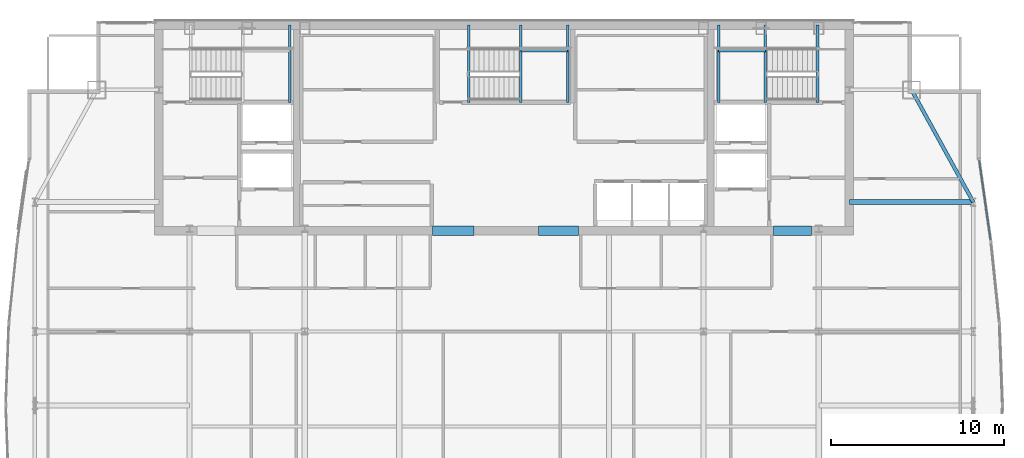
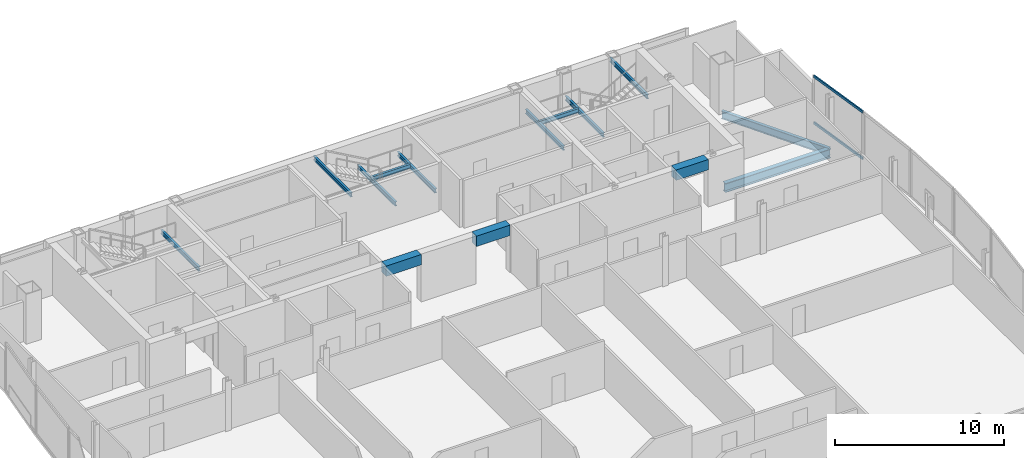
# One storey, part 22 of 30: 14 beams, 2 members, 1 element without a shape of its own.
"""IFC4 building model written with IfcOpenShell, lengths in metres."""

from ifc_helpers import new_model, si_unit, direction, frame, origin, origin_2d, place, context, subcontext, project, spatial, rectangle, hollow_rectangle, i_section, extrude, material, material_profile, profile_set, type_object, element, aggregate, save


model = new_model("IFC4")

# Units and contexts
model_context = context("Model", 3, precision=1e-05, world=origin(), true_north=direction((0.0, 1.0)))
body_context = subcontext(model_context, "Body", "Model", "MODEL_VIEW")
ifc_project = project(units=[si_unit("LENGTHUNIT", "METRE"), si_unit("AREAUNIT", "SQUARE_METRE"), si_unit("VOLUMEUNIT", "CUBIC_METRE"), si_unit("PLANEANGLEUNIT", "RADIAN"), si_unit("MASSUNIT", "GRAM", prefix="KILO")], contexts=[model_context])

# Site, building, storey
site_placement = place(None, origin())
site = spatial("IfcSite", under=ifc_project, at=site_placement, CompositionType="ELEMENT")
building_placement = place(site_placement, origin())
building = spatial("IfcBuilding", under=site, at=building_placement, Name="Khoronbel Lancet Exchange", CompositionType="ELEMENT")
storey_placement = place(building_placement, frame((0.0, 0.0, 280.60009765625)))
storey = spatial("IfcBuildingStorey", under=building, at=storey_placement, Name="L72", CompositionType="ELEMENT", Elevation=280.60009765625)

# Beams
ifc_material_1 = material(Name="Steel S355", Category="steel")
ifc_material_profile_1 = material_profile(ifc_material_1, i_section(OverallWidth=0.300048828125, OverallDepth=0.64990234375, WebThickness=0.01611328125, FlangeThickness=0.031005859375, at=origin_2d()), Name="HEB 650")
ifc_profile_set_1 = profile_set([ifc_material_profile_1], Name="Steel S355")
beam_type_1 = type_object("IfcBeamType", Name="BM-BG4", PredefinedType="BEAM", material=ifc_profile_set_1)
beam_1_placement = place(storey_placement, frame((56.449951171875, 43.199951171875, -0.485107421875), z_axis=(1.0, 0.0, 0.0), x_axis=(0.0, 1.0, 0.0)))
element("IfcBeam", 1, at=beam_1_placement, inside=storey, type_object=beam_type_1, Name="Level L72 east lens tie girder LG3E", PredefinedType="BEAM", context=body_context, shape_type="SweptSolid", body=[
    extrude(i_section(OverallWidth=0.300048828125, OverallDepth=0.64990234375, WebThickness=0.01611328125, FlangeThickness=0.031005859375, at=origin_2d()), origin(), (0.0, 0.0, 1.0), 7.179931640625),
])
ifc_material_profile_2 = material_profile(ifc_material_1, i_section(OverallWidth=0.14990234375, OverallDepth=0.300048828125, WebThickness=0.007080078125, FlangeThickness=0.0107421875, at=origin_2d()), Name="IPE 300")
ifc_profile_set_2 = profile_set([ifc_material_profile_2], Name="Steel S355")
beam_type_2 = type_object("IfcBeamType", Name="BM-BJ8", PredefinedType="JOIST", material=ifc_profile_set_2)
for number, where, z_axis, x_axis, name in (
    (2, (24.030029296875, 48.97998046875, 1.449951171875), (0.0, 1.0, 0.0), (-1.0, 0.0, 0.0), "Level L72 stair ST1 rear landing bearer beam 1"),
    (3, (51.580078125, 48.97998046875, 1.449951171875), (0.0, 1.0, 0.0), (-1.0, 0.0, 0.0), "Level L72 stair ST2 landing bearer beam 1"),
    (4, (48.8701171875, 48.97998046875, 1.449951171875), (0.0, 1.0, 0.0), (-1.0, 0.0, 0.0), "Level L72 stair ST2 rear landing bearer beam 1"),
):
    element("IfcBeam", number, at=place(storey_placement, frame(where, z_axis=z_axis, x_axis=x_axis)), inside=storey, type_object=beam_type_2, Name=name, PredefinedType="JOIST", context=body_context, shape_type="SweptSolid", body=[
        extrude(i_section(OverallWidth=0.14990234375, OverallDepth=0.300048828125, WebThickness=0.007080078125, FlangeThickness=0.0107421875, at=origin_2d()), origin(), (0.0, 0.0, 1.0), 4.469970703125),
    ])
beam_2_placement = place(storey_placement, frame((48.8701171875, 51.97998046875, 1.449951171875), z_axis=(1.0, 0.0, 0.0), x_axis=(0.0, 1.0, 0.0)))
element("IfcBeam", 5, at=beam_2_placement, inside=storey, type_object=beam_type_2, Name="Level L72 stair ST2 landing cross trimmer beam 1", PredefinedType="JOIST", context=body_context, shape_type="SweptSolid", body=[
    extrude(i_section(OverallWidth=0.14990234375, OverallDepth=0.300048828125, WebThickness=0.007080078125, FlangeThickness=0.0107421875, at=origin_2d()), origin(), (0.0, 0.0, 1.0), 2.7099609375),
])
for number, where, z_axis, x_axis, name in (
    (6, (54.60009765625, 48.97998046875, 3.159912109375), (0.0, 1.0, 0.0), (-1.0, 0.0, 0.0), "Level L72 stair ST2 upper-flight arrival trimmer beam"),
    (7, (37.419921875, 48.97998046875, 1.449951171875), (0.0, 1.0, 0.0), (-1.0, 0.0, 0.0), "Level L72 stair ST3 landing bearer beam 1"),
    (8, (40.1298828125, 48.97998046875, 1.449951171875), (0.0, 1.0, 0.0), (-1.0, 0.0, 0.0), "Level L72 stair ST3 rear landing bearer beam 1"),
):
    element("IfcBeam", number, at=place(storey_placement, frame(where, z_axis=z_axis, x_axis=x_axis)), inside=storey, type_object=beam_type_2, Name=name, PredefinedType="JOIST", context=body_context, shape_type="SweptSolid", body=[
        extrude(i_section(OverallWidth=0.14990234375, OverallDepth=0.300048828125, WebThickness=0.007080078125, FlangeThickness=0.0107421875, at=origin_2d()), origin(), (0.0, 0.0, 1.0), 4.469970703125),
    ])
beam_3_placement = place(storey_placement, frame((37.419921875, 51.97998046875, 1.449951171875), z_axis=(1.0, 0.0, 0.0), x_axis=(0.0, 1.0, 0.0)))
element("IfcBeam", 9, at=beam_3_placement, inside=storey, type_object=beam_type_2, Name="Level L72 stair ST3 landing cross trimmer beam 1", PredefinedType="JOIST", context=body_context, shape_type="SweptSolid", body=[
    extrude(i_section(OverallWidth=0.14990234375, OverallDepth=0.300048828125, WebThickness=0.007080078125, FlangeThickness=0.0107421875, at=origin_2d()), origin(), (0.0, 0.0, 1.0), 2.7099609375),
])
beam_4_placement = place(storey_placement, frame((34.39990234375, 48.97998046875, 3.159912109375), z_axis=(0.0, 1.0, 0.0), x_axis=(-1.0, 0.0, 0.0)))
element("IfcBeam", 10, at=beam_4_placement, inside=storey, type_object=beam_type_2, Name="Level L72 stair ST3 upper-flight arrival trimmer beam", PredefinedType="JOIST", context=body_context, shape_type="SweptSolid", body=[
    extrude(i_section(OverallWidth=0.14990234375, OverallDepth=0.300048828125, WebThickness=0.007080078125, FlangeThickness=0.0107421875, at=origin_2d()), origin(), (0.0, 0.0, 1.0), 4.469970703125),
])
ifc_material_2 = material(Name="Concrete C60/75", Category="concrete")
ifc_material_profile_3 = material_profile(ifc_material_2, rectangle(XDim=0.550048828125, YDim=0.75, at=origin_2d()), Name="RC 550x750")
ifc_profile_set_3 = profile_set([ifc_material_profile_3], Name="Concrete C60/75")
beam_type_3 = type_object("IfcBeamType", Name="BM-BL2", PredefinedType="LINTEL", material=ifc_profile_set_3)
beam_5_placement = place(storey_placement, frame((32.300048828125, 41.550048828125, 3.06494140625), z_axis=(1.0, 0.0, 0.0), x_axis=(0.0, 1.0, 0.0)))
element("IfcBeam", 11, at=beam_5_placement, inside=storey, type_object=beam_type_3, Name="Level L72 rear core coupling lintel L2", PredefinedType="LINTEL", context=body_context, shape_type="SweptSolid", body=[
    extrude(rectangle(XDim=0.550048828125, YDim=0.75, at=origin_2d()), origin(), (0.0, 0.0, 1.0), 2.39990234375),
])
beam_6_placement = place(storey_placement, frame((38.449951171875, 41.550048828125, 3.06494140625), z_axis=(1.0, 0.0, 0.0), x_axis=(0.0, 1.0, 0.0)))
element("IfcBeam", 12, at=beam_6_placement, inside=storey, type_object=beam_type_3, Name="Level L72 rear core coupling lintel L3", PredefinedType="LINTEL", context=body_context, shape_type="SweptSolid", body=[
    extrude(rectangle(XDim=0.550048828125, YDim=0.75, at=origin_2d()), origin(), (0.0, 0.0, 1.0), 2.300048828125),
])
beam_7_placement = place(storey_placement, frame((52.050048828125, 41.550048828125, 3.06494140625), z_axis=(1.0, 0.0, 0.0), x_axis=(0.0, 1.0, 0.0)))
element("IfcBeam", 13, at=beam_7_placement, inside=storey, type_object=beam_type_3, Name="Level L72 rear core coupling lintel L4", PredefinedType="LINTEL", context=body_context, shape_type="SweptSolid", body=[
    extrude(rectangle(XDim=0.550048828125, YDim=0.75, at=origin_2d()), origin(), (0.0, 0.0, 1.0), 2.199951171875),
])
ifc_material_profile_4 = material_profile(ifc_material_1, i_section(OverallWidth=0.2099609375, OverallDepth=0.550048828125, WebThickness=0.010986328125, FlangeThickness=0.01708984375, at=origin_2d()), Name="IPE 550")
ifc_profile_set_4 = profile_set([ifc_material_profile_4], Name="Steel S355")
beam_type_4 = type_object("IfcBeamType", Name="BM-BSP3", PredefinedType="SPANDREL", material=ifc_profile_set_4)
beam_8_placement = place(storey_placement, frame((63.6298828125, 43.199951171875, -0.43505859375), z_axis=(-0.482418808117, 0.875940690672, 0.0), x_axis=(-0.875940690672, -0.482418808117, 0.0)))
element("IfcBeam", 14, at=beam_8_placement, inside=storey, type_object=beam_type_4, Name="Level L72 perimeter spandrel beam SP15", PredefinedType="SPANDREL", context=body_context, shape_type="SweptSolid", body=[
    extrude(i_section(OverallWidth=0.2099609375, OverallDepth=0.550048828125, WebThickness=0.010986328125, FlangeThickness=0.01708984375, at=origin_2d()), origin(), (0.0, 0.0, 1.0), 7.420654296875),
])

# Curtain wall, members
ifc_material_3 = material(Name="Low-E Solar Control Insulating Glass", Category="glass")
curtain_wall_type = type_object("IfcCurtainWallType", Name="CW-4", PredefinedType="NOTDEFINED", material=ifc_material_3)
curtain_wall_placement = place(storey_placement, origin())
curtain_wall = element("IfcCurtainWall", 15, at=curtain_wall_placement, inside=storey, type_object=curtain_wall_type, Name="Unitised curtain wall CW-L72-E17", PredefinedType="NOTDEFINED")
ifc_material_4 = material(Name="Bronze-Anodised Aluminium 6063-T6", Category="aluminium")
ifc_material_profile_5 = material_profile(ifc_material_4, hollow_rectangle(XDim=0.0849609375, YDim=0.179931640625, WallThickness=0.0048828125, at=origin_2d()), Name="ALU TRANSOM 85x180")
ifc_profile_set_5 = profile_set([ifc_material_profile_5], Name="Bronze-Anodised Aluminium 6063-T6")
member_type = type_object("IfcMemberType", Name="MEM-CWT1", PredefinedType="USERDEFINED", material=ifc_profile_set_5)
member_1_placement = place(storey_placement, frame((63.970703125, 45.619384765625, 0.04248046875), z_axis=(0.141200972174, -0.989980952068, 0.0), x_axis=(0.989980952068, 0.141200972174, 0.0)))
member_1 = element("IfcMember", 16, at=member_1_placement, type_object=member_type, Name="CW4 transom 1.1", ObjectType="TRANSOM", PredefinedType="USERDEFINED", context=body_context, shape_type="SweptSolid", body=[
    extrude(hollow_rectangle(XDim=0.0849609375, YDim=0.179931640625, WallThickness=0.0048828125, at=origin_2d()), origin(), (0.0, 0.0, 1.0), 4.65283203125),
])
member_2_placement = place(storey_placement, frame((63.970703125, 45.619384765625, 3.3974609375), z_axis=(0.141200972174, -0.989980952068, 0.0), x_axis=(0.989980952068, 0.141200972174, 0.0)))
member_2 = element("IfcMember", 17, at=member_2_placement, type_object=member_type, Name="CW4 transom 1.2", ObjectType="TRANSOM", PredefinedType="USERDEFINED", context=body_context, shape_type="SweptSolid", body=[
    extrude(hollow_rectangle(XDim=0.0849609375, YDim=0.179931640625, WallThickness=0.0048828125, at=origin_2d()), origin(), (0.0, 0.0, 1.0), 4.65283203125),
])
aggregate(curtain_wall, [member_1, member_2])

save(model, "model.ifc")
